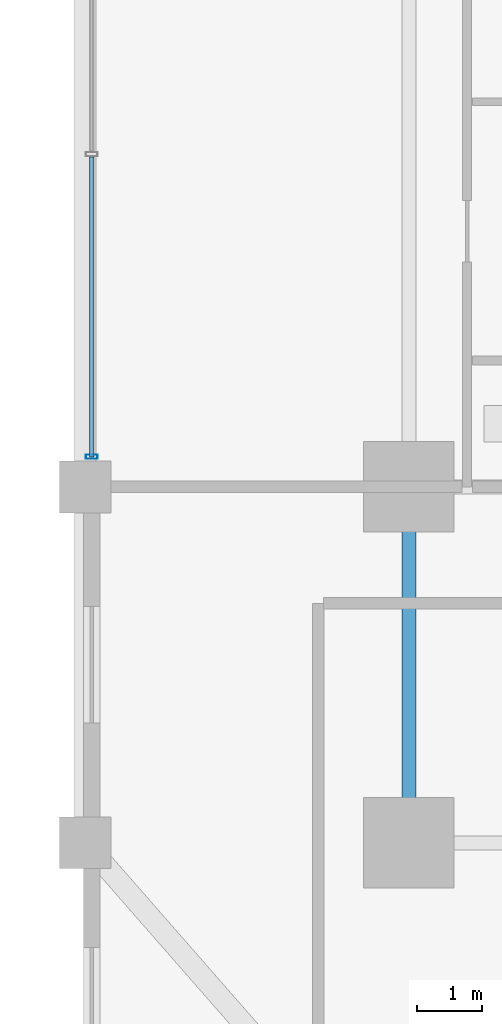
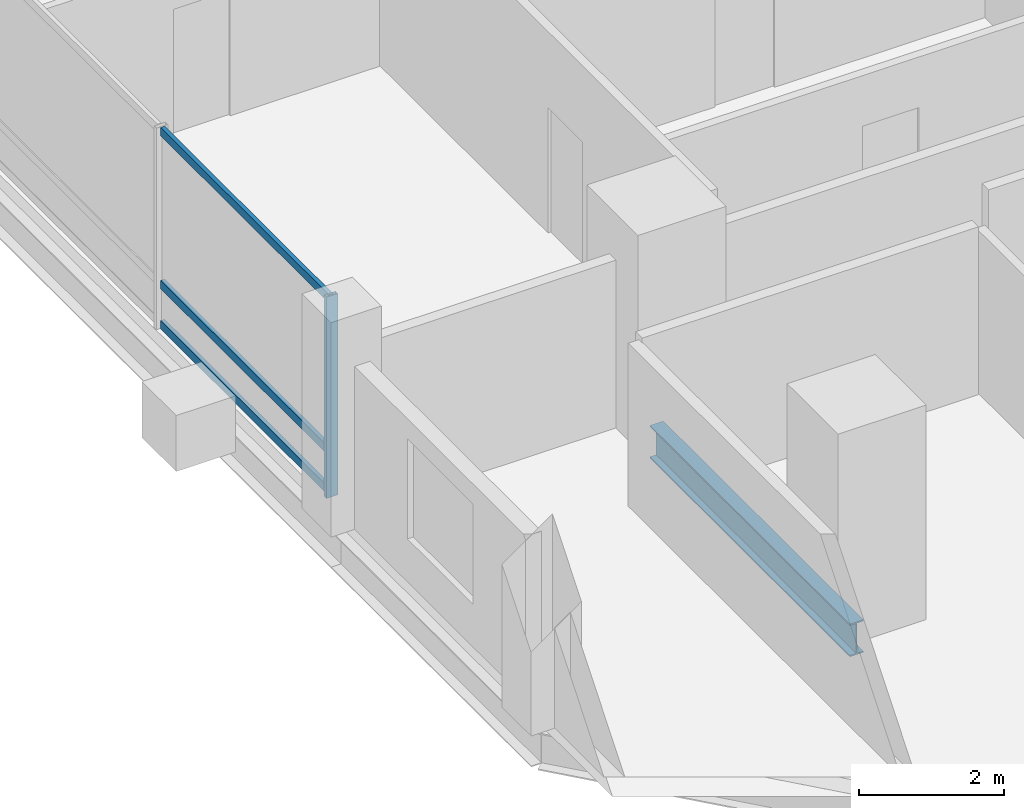
# One storey, part 4 of 24: 4 members, 1 beam, 1 element without a shape of its own.
"""IFC4 building model written with IfcOpenShell, lengths in metres."""

from ifc_helpers import new_model, si_unit, direction, frame, origin, origin_2d, place, context, subcontext, project, spatial, hollow_rectangle, i_section, extrude, material, layer, layer_set, material_profile, profile_set, type_object, element, aggregate, save


model = new_model("IFC4")

# Units and contexts
model_context = context("Model", 3, precision=1e-05, world=origin(), true_north=direction((0.0, 1.0)))
body_context = subcontext(model_context, "Body", "Model", "MODEL_VIEW")
ifc_project = project(units=[si_unit("LENGTHUNIT", "METRE"), si_unit("AREAUNIT", "SQUARE_METRE"), si_unit("VOLUMEUNIT", "CUBIC_METRE"), si_unit("PLANEANGLEUNIT", "RADIAN"), si_unit("MASSUNIT", "GRAM", prefix="KILO")], contexts=[model_context])

# Site, building, storey
site_placement = place(None, origin())
site = spatial("IfcSite", under=ifc_project, at=site_placement, CompositionType="ELEMENT")
building_placement = place(site_placement, origin())
building = spatial("IfcBuilding", under=site, at=building_placement, Name="Barlavira Tower and Art Museum", CompositionType="ELEMENT")
storey_placement = place(building_placement, frame((0.0, 0.0, 43.199951171875)))
storey = spatial("IfcBuildingStorey", under=building, at=storey_placement, Name="L09", CompositionType="ELEMENT", Elevation=43.199951171875)

# Curtain wall, members
ifc_material_1 = material(Name="Low-iron coastal laminated glass", Category="glass")
ifc_layer = layer(ifc_material_1, 0.179931640625, Name="Low-iron coastal laminated glass")
ifc_layer_set = layer_set([ifc_layer], Name="Low-iron coastal laminated glass")
curtain_wall_type = type_object("IfcCurtainWallType", Name="Pale-Metal Unitised Curtain Wall Zone 1", PredefinedType="NOTDEFINED", material=ifc_layer_set)
curtain_wall_placement = place(storey_placement, origin())
curtain_wall = element("IfcCurtainWall", 1, at=curtain_wall_placement, inside=storey, type_object=curtain_wall_type, Name="L09 Curtain Wall CW1-L09-W-B3", PredefinedType="NOTDEFINED")
ifc_material_2 = material(Name="Pale anodised aluminium", Category="aluminium")
ifc_material_profile_1 = material_profile(ifc_material_2, hollow_rectangle(XDim=0.06494140625, YDim=0.179931640625, WallThickness=0.00390625, at=origin_2d()), Name="ALU-MULL 65x180x4")
ifc_profile_set_1 = profile_set([ifc_material_profile_1], Name="Pale anodised aluminium")
member_type_1 = type_object("IfcMemberType", Name="Curtain Wall Pale-Metal Mullion 65x180", PredefinedType="MULLION", material=ifc_profile_set_1)
member_1_placement = place(storey_placement, frame((-21.89990234375, -7.034912109375, 0.0), z_axis=(0.0, 0.0, 1.0), x_axis=(0.0, -1.0, 0.0)))
member_1 = element("IfcMember", 2, at=member_1_placement, type_object=member_type_1, Name="CW1-L09-W-B3 Mullion 3", PredefinedType="MULLION", context=body_context, shape_type="SweptSolid", body=[
    extrude(hollow_rectangle(XDim=0.06494140625, YDim=0.179931640625, WallThickness=0.00390625, at=origin_2d()), origin(), (0.0, 0.0, 1.0), 3.380126953125),
])
ifc_material_profile_2 = material_profile(ifc_material_2, hollow_rectangle(XDim=0.06494140625, YDim=0.139892578125, WallThickness=0.00390625, at=origin_2d()), Name="ALU-TRAN 65x140x4")
ifc_profile_set_2 = profile_set([ifc_material_profile_2], Name="Pale anodised aluminium")
member_type_2 = type_object("IfcMemberType", Name="Curtain Wall Pale-Metal Transom 65x140", PredefinedType="USERDEFINED", material=ifc_profile_set_2)
member_2_placement = place(storey_placement, frame((-21.89990234375, -2.405029296875, 0.070068359375), z_axis=(0.0, -1.0, 0.0), x_axis=(1.0, 0.0, 0.0)))
member_2 = element("IfcMember", 3, at=member_2_placement, type_object=member_type_2, Name="CW1-L09-W-B3 Transom 2.1", ObjectType="TRANSOM", PredefinedType="USERDEFINED", context=body_context, shape_type="SweptSolid", body=[
    extrude(hollow_rectangle(XDim=0.06494140625, YDim=0.139892578125, WallThickness=0.00390625, at=origin_2d()), origin(), (0.0, 0.0, 1.0), 4.6298828125),
])
member_3_placement = place(storey_placement, frame((-21.89990234375, -2.405029296875, 0.744140625), z_axis=(0.0, -1.0, 0.0), x_axis=(1.0, 0.0, 0.0)))
member_3 = element("IfcMember", 4, at=member_3_placement, type_object=member_type_2, Name="CW1-L09-W-B3 Transom 2.2", ObjectType="TRANSOM", PredefinedType="USERDEFINED", context=body_context, shape_type="SweptSolid", body=[
    extrude(hollow_rectangle(XDim=0.06494140625, YDim=0.139892578125, WallThickness=0.00390625, at=origin_2d()), origin(), (0.0, 0.0, 1.0), 4.6298828125),
])
member_4_placement = place(storey_placement, frame((-21.89990234375, -2.405029296875, 3.31005859375), z_axis=(0.0, -1.0, 0.0), x_axis=(1.0, 0.0, 0.0)))
member_4 = element("IfcMember", 5, at=member_4_placement, type_object=member_type_2, Name="CW1-L09-W-B3 Transom 2.3", ObjectType="TRANSOM", PredefinedType="USERDEFINED", context=body_context, shape_type="SweptSolid", body=[
    extrude(hollow_rectangle(XDim=0.06494140625, YDim=0.139892578125, WallThickness=0.00390625, at=origin_2d()), origin(), (0.0, 0.0, 1.0), 4.6298828125),
])
aggregate(curtain_wall, [member_1, member_2, member_3, member_4])

# Beam
ifc_material_3 = material(Name="Steel S355", Category="steel")
ifc_material_profile_3 = material_profile(ifc_material_3, i_section(OverallWidth=0.214111328125, OverallDepth=0.549072265625, WebThickness=0.0146484375, FlangeThickness=0.023681640625, at=origin_2d()), Name="W530x138.0")
ifc_profile_set_3 = profile_set([ifc_material_profile_3], Name="Steel S355")
beam_type = type_object("IfcBeamType", Name="Zone 1 Primary Floor Girder W530x138 Steel S355", PredefinedType="BEAM", material=ifc_profile_set_3)
beam_placement = place(storey_placement, frame((-17.0, -13.0, -0.494384765625), z_axis=(0.0, 1.0, 0.0), x_axis=(-1.0, 0.0, 0.0)))
element("IfcBeam", 6, at=beam_placement, inside=storey, type_object=beam_type, Name="L09 Girder M-W1", PredefinedType="BEAM", context=body_context, shape_type="SweptSolid", body=[
    extrude(i_section(OverallWidth=0.214111328125, OverallDepth=0.549072265625, WebThickness=0.0146484375, FlangeThickness=0.023681640625, at=origin_2d()), origin(), (0.0, 0.0, 1.0), 5.5),
])

save(model, "model.ifc")
